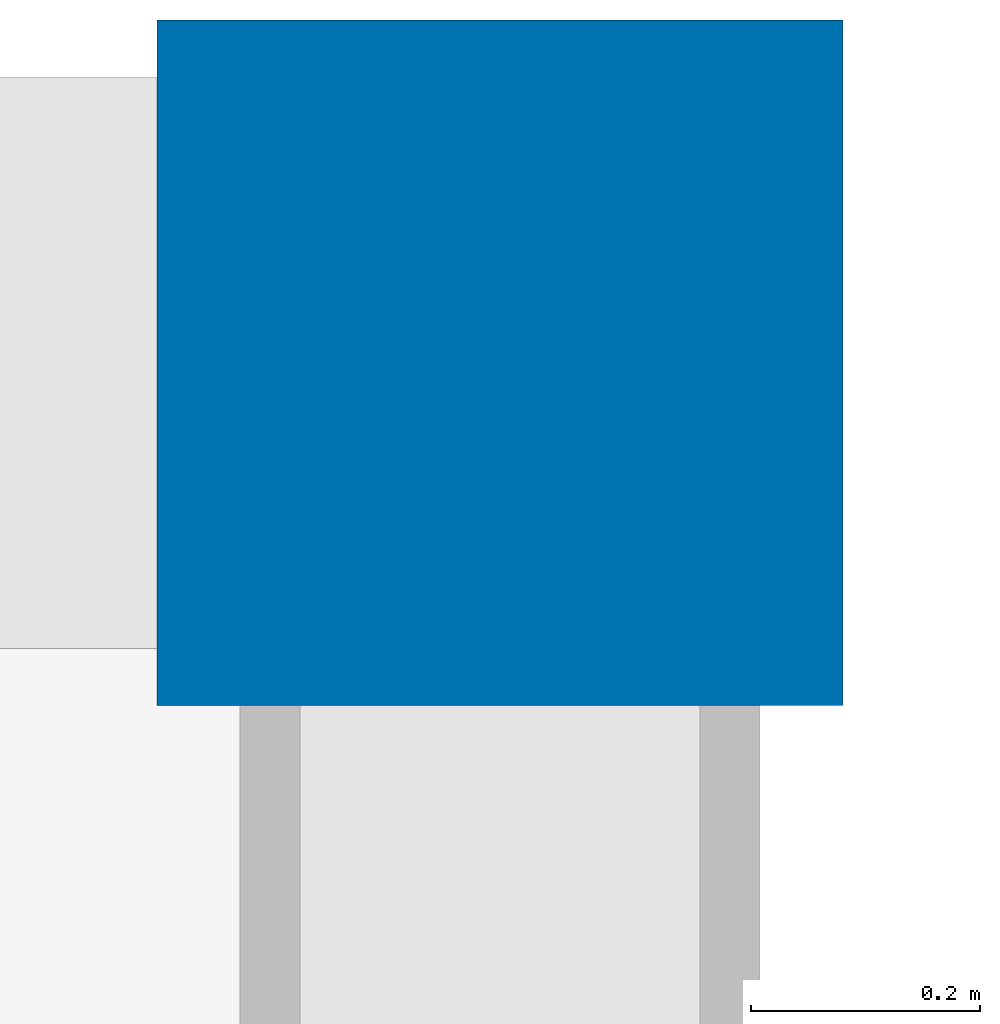
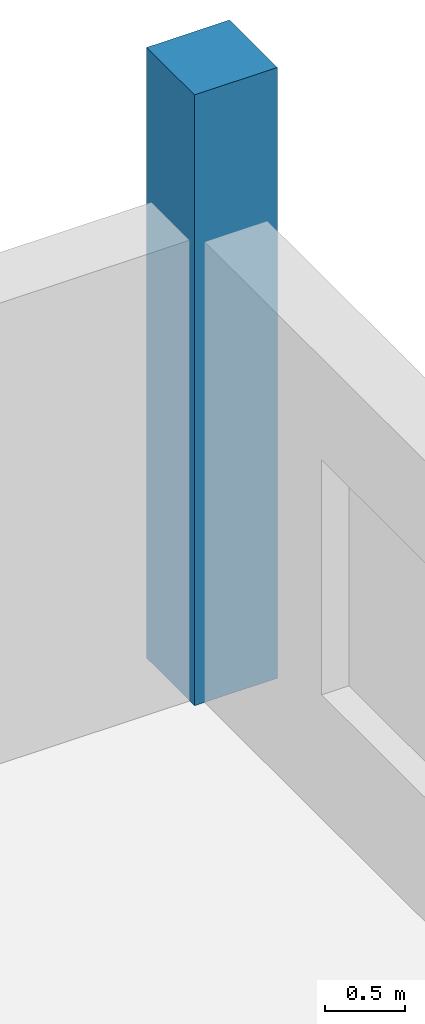
# One storey, part 5 of 142: 1 column.
"""IFC4 building model written with IfcOpenShell, lengths in metres."""

from ifc_helpers import new_model, si_unit, direction, frame, origin, origin_2d, place, context, subcontext, project, spatial, rectangle, extrude, material, material_profile, profile_set, type_object, element, save


model = new_model("IFC4")

# Units and contexts
model_context = context("Model", 3, precision=1e-05, world=origin(), true_north=direction((0.0, 1.0)))
body_context = subcontext(model_context, "Body", "Model", "MODEL_VIEW")
ifc_project = project(units=[si_unit("LENGTHUNIT", "METRE"), si_unit("AREAUNIT", "SQUARE_METRE"), si_unit("VOLUMEUNIT", "CUBIC_METRE"), si_unit("PLANEANGLEUNIT", "RADIAN"), si_unit("MASSUNIT", "GRAM", prefix="KILO")], contexts=[model_context])

# Site, building, storey
site_placement = place(None, origin())
site = spatial("IfcSite", under=ifc_project, at=site_placement, CompositionType="ELEMENT")
building_placement = place(site_placement, origin())
building = spatial("IfcBuilding", under=site, at=building_placement, Name="Zwinboog Wholesale Market", CompositionType="ELEMENT")
storey_placement = place(building_placement, frame((0.0, 0.0, 5.39990234375)))
storey = spatial("IfcBuildingStorey", under=building, at=storey_placement, Name="L01", CompositionType="ELEMENT", Elevation=5.39990234375)

# Column
ifc_material = material(Name="Precast concrete C45/55", Category="concrete")
ifc_material_profile = material_profile(ifc_material, rectangle(XDim=0.60009765625, YDim=0.60009765625, at=origin_2d()), Name="PC 600x600")
ifc_profile_set = profile_set([ifc_material_profile], Name="Precast concrete C45/55")
column_type = type_object("IfcColumnType", Name="CT-04", PredefinedType="COLUMN", material=ifc_profile_set)
column_placement = place(storey_placement, frame((216.0, 129.60009765625, 0.0), z_axis=(0.0, 0.0, 1.0), x_axis=(1.0, 0.0, 0.0)))
element("IfcColumn", 1, at=column_placement, inside=storey, type_object=column_type, Name="C-04 (COL-L01-0513)", PredefinedType="COLUMN", context=body_context, shape_type="SweptSolid", body=[
    extrude(rectangle(XDim=0.60009765625, YDim=0.60009765625, at=origin_2d()), origin(), (0.0, 0.0, 1.0), 4.68017578125),
])

save(model, "model.ifc")
